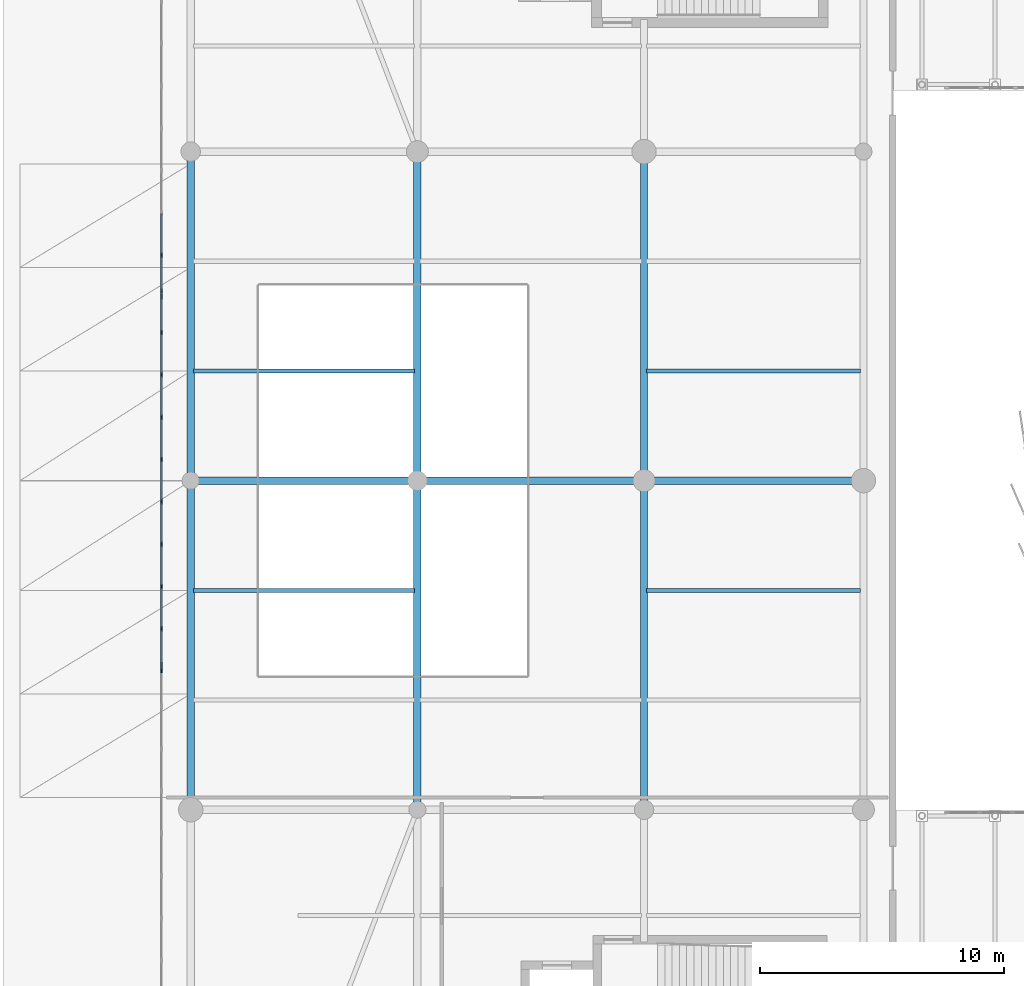
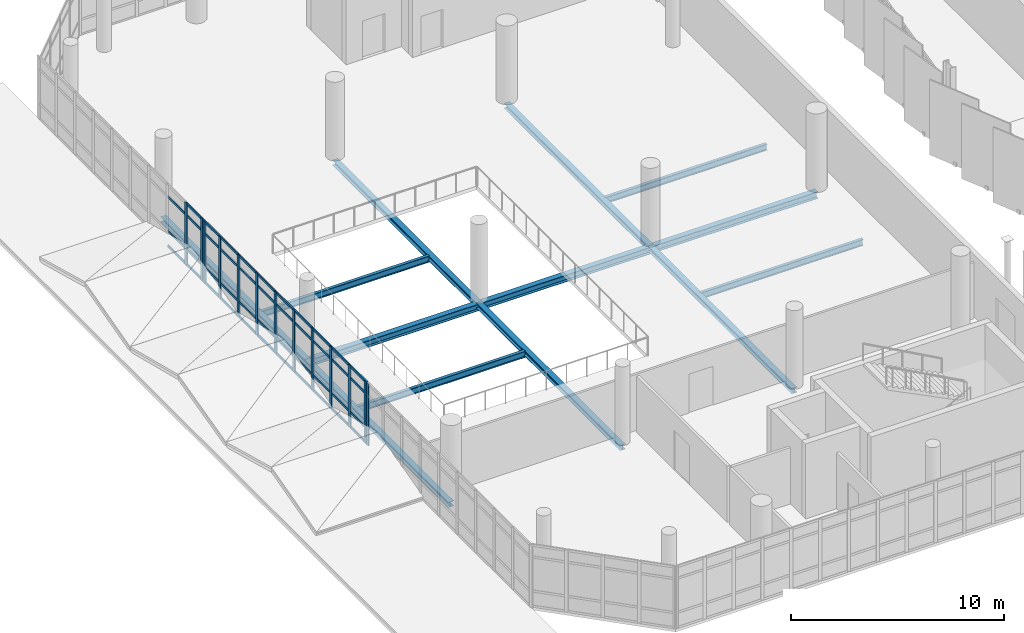
# One storey, part 44 of 134: 56 members, 13 beams, 3 elements without a shape of their own.
"""IFC4 building model written with IfcOpenShell, lengths in metres."""

from ifc_helpers import new_model, si_unit, direction, frame, origin, origin_2d, place, context, subcontext, project, spatial, rectangle, i_section, extrude, material, layer, layer_set, material_profile, profile_set, type_object, element, aggregate, save


model = new_model("IFC4")

# Units and contexts
model_context = context("Model", 3, precision=1e-05, world=origin(), true_north=direction((0.0, 1.0)))
body_context = subcontext(model_context, "Body", "Model", "MODEL_VIEW")
ifc_project = project(units=[si_unit("LENGTHUNIT", "METRE"), si_unit("AREAUNIT", "SQUARE_METRE"), si_unit("VOLUMEUNIT", "CUBIC_METRE"), si_unit("PLANEANGLEUNIT", "RADIAN"), si_unit("MASSUNIT", "GRAM", prefix="KILO")], contexts=[model_context])

# Site, building, storey
site_placement = place(None, origin())
site = spatial("IfcSite", under=ifc_project, at=site_placement, CompositionType="ELEMENT")
building_placement = place(site_placement, origin())
building = spatial("IfcBuilding", under=site, at=building_placement, Name="Sohan Crest Arena", CompositionType="ELEMENT")
storey_placement = place(building_placement, frame((0.0, 0.0, 4.5)))
storey = spatial("IfcBuildingStorey", under=building, at=storey_placement, Name="L01", CompositionType="ELEMENT", Elevation=4.5)

# Curtain wall, members
ifc_material_1 = material(Name="Thermally broken anodised aluminium", Category="aluminium")
ifc_layer = layer(ifc_material_1, 0.219970703125, Name="Thermally broken anodised aluminium")
ifc_layer_set = layer_set([ifc_layer], Name="Thermally broken anodised aluminium")
curtain_wall_type = type_object("IfcCurtainWallType", Name="ARC-CW03", PredefinedType="NOTDEFINED", material=ifc_layer_set)
curtain_wall_1_placement = place(storey_placement, origin())
curtain_wall_1 = element("IfcCurtainWall", 1, at=curtain_wall_1_placement, inside=storey, type_object=curtain_wall_type, Name="Unitised curtain wall CW-209", PredefinedType="NOTDEFINED")
ifc_material_profile_1 = material_profile(ifc_material_1, rectangle(XDim=0.070068359375, YDim=0.199951171875, at=origin_2d()), Name="ALU-MULL 70x200")
ifc_profile_set_1 = profile_set([ifc_material_profile_1], Name="Thermally broken anodised aluminium")
member_type_1 = type_object("IfcMemberType", Name="ARC-CW-ML03", PredefinedType="MULLION", material=ifc_profile_set_1)
member_1_placement = place(storey_placement, frame((14.0, 87.25390625, 0.0), z_axis=(0.0, 0.0, 1.0), x_axis=(1.0, 0.0, 0.0)))
member_1 = element("IfcMember", 2, at=member_1_placement, type_object=member_type_1, Name="CW-209 mullion 9", PredefinedType="MULLION", context=body_context, shape_type="SweptSolid", body=[
    extrude(rectangle(XDim=0.070068359375, YDim=0.199951171875, at=origin_2d()), origin(), (0.0, 0.0, 1.0), 3.550048828125),
])
member_2_placement = place(storey_placement, frame((14.0, 85.552001953125, 0.0), z_axis=(0.0, 0.0, 1.0), x_axis=(1.0, 0.0, 0.0)))
member_2 = element("IfcMember", 3, at=member_2_placement, type_object=member_type_1, Name="CW-209 mullion 10", PredefinedType="MULLION", context=body_context, shape_type="SweptSolid", body=[
    extrude(rectangle(XDim=0.070068359375, YDim=0.199951171875, at=origin_2d()), origin(), (0.0, 0.0, 1.0), 3.550048828125),
])

curtain_wall_2_placement = place(storey_placement, origin())
curtain_wall_2 = element("IfcCurtainWall", 4, at=curtain_wall_2_placement, inside=storey, type_object=curtain_wall_type, Name="Unitised curtain wall CW-210", PredefinedType="NOTDEFINED")
member_3_placement = place(storey_placement, frame((14.0, 85.781982421875, 0.0), z_axis=(0.0, 0.0, 1.0), x_axis=(1.0, 0.0, 0.0)))
member_3 = element("IfcMember", 5, at=member_3_placement, type_object=member_type_1, Name="CW-210 mullion 1", PredefinedType="MULLION", context=body_context, shape_type="SweptSolid", body=[
    extrude(rectangle(XDim=0.070068359375, YDim=0.199951171875, at=origin_2d()), origin(), (0.0, 0.0, 1.0), 3.550048828125),
])
member_4_placement = place(storey_placement, frame((14.0, 84.079833984375, 0.0), z_axis=(0.0, 0.0, 1.0), x_axis=(1.0, 0.0, 0.0)))
member_4 = element("IfcMember", 6, at=member_4_placement, type_object=member_type_1, Name="CW-210 mullion 2", PredefinedType="MULLION", context=body_context, shape_type="SweptSolid", body=[
    extrude(rectangle(XDim=0.070068359375, YDim=0.199951171875, at=origin_2d()), origin(), (0.0, 0.0, 1.0), 3.550048828125),
])
member_5_placement = place(storey_placement, frame((14.0, 82.3427734375, 0.0), z_axis=(0.0, 0.0, 1.0), x_axis=(1.0, 0.0, 0.0)))
member_5 = element("IfcMember", 7, at=member_5_placement, type_object=member_type_1, Name="CW-210 mullion 3", PredefinedType="MULLION", context=body_context, shape_type="SweptSolid", body=[
    extrude(rectangle(XDim=0.070068359375, YDim=0.199951171875, at=origin_2d()), origin(), (0.0, 0.0, 1.0), 3.550048828125),
])
member_6_placement = place(storey_placement, frame((14.0, 80.605712890625, 0.0), z_axis=(0.0, 0.0, 1.0), x_axis=(1.0, 0.0, 0.0)))
member_6 = element("IfcMember", 8, at=member_6_placement, type_object=member_type_1, Name="CW-210 mullion 4", PredefinedType="MULLION", context=body_context, shape_type="SweptSolid", body=[
    extrude(rectangle(XDim=0.070068359375, YDim=0.199951171875, at=origin_2d()), origin(), (0.0, 0.0, 1.0), 3.550048828125),
])
member_7_placement = place(storey_placement, frame((14.0, 78.86865234375, 0.0), z_axis=(0.0, 0.0, 1.0), x_axis=(1.0, 0.0, 0.0)))
member_7 = element("IfcMember", 9, at=member_7_placement, type_object=member_type_1, Name="CW-210 mullion 5", PredefinedType="MULLION", context=body_context, shape_type="SweptSolid", body=[
    extrude(rectangle(XDim=0.070068359375, YDim=0.199951171875, at=origin_2d()), origin(), (0.0, 0.0, 1.0), 3.550048828125),
])
member_8_placement = place(storey_placement, frame((14.0, 77.13134765625, 0.0), z_axis=(0.0, 0.0, 1.0), x_axis=(1.0, 0.0, 0.0)))
member_8 = element("IfcMember", 10, at=member_8_placement, type_object=member_type_1, Name="CW-210 mullion 6", PredefinedType="MULLION", context=body_context, shape_type="SweptSolid", body=[
    extrude(rectangle(XDim=0.070068359375, YDim=0.199951171875, at=origin_2d()), origin(), (0.0, 0.0, 1.0), 3.550048828125),
])
member_9_placement = place(storey_placement, frame((14.0, 75.394287109375, 0.0), z_axis=(0.0, 0.0, 1.0), x_axis=(1.0, 0.0, 0.0)))
member_9 = element("IfcMember", 11, at=member_9_placement, type_object=member_type_1, Name="CW-210 mullion 7", PredefinedType="MULLION", context=body_context, shape_type="SweptSolid", body=[
    extrude(rectangle(XDim=0.070068359375, YDim=0.199951171875, at=origin_2d()), origin(), (0.0, 0.0, 1.0), 3.550048828125),
])
member_10_placement = place(storey_placement, frame((14.0, 73.6572265625, 0.0), z_axis=(0.0, 0.0, 1.0), x_axis=(1.0, 0.0, 0.0)))
member_10 = element("IfcMember", 12, at=member_10_placement, type_object=member_type_1, Name="CW-210 mullion 8", PredefinedType="MULLION", context=body_context, shape_type="SweptSolid", body=[
    extrude(rectangle(XDim=0.070068359375, YDim=0.199951171875, at=origin_2d()), origin(), (0.0, 0.0, 1.0), 3.550048828125),
])
member_11_placement = place(storey_placement, frame((14.0, 71.920166015625, 0.0), z_axis=(0.0, 0.0, 1.0), x_axis=(1.0, 0.0, 0.0)))
member_11 = element("IfcMember", 13, at=member_11_placement, type_object=member_type_1, Name="CW-210 mullion 9", PredefinedType="MULLION", context=body_context, shape_type="SweptSolid", body=[
    extrude(rectangle(XDim=0.070068359375, YDim=0.199951171875, at=origin_2d()), origin(), (0.0, 0.0, 1.0), 3.550048828125),
])
member_12_placement = place(storey_placement, frame((14.0, 70.218017578125, 0.0), z_axis=(0.0, 0.0, 1.0), x_axis=(1.0, 0.0, 0.0)))
member_12 = element("IfcMember", 14, at=member_12_placement, type_object=member_type_1, Name="CW-210 mullion 10", PredefinedType="MULLION", context=body_context, shape_type="SweptSolid", body=[
    extrude(rectangle(XDim=0.070068359375, YDim=0.199951171875, at=origin_2d()), origin(), (0.0, 0.0, 1.0), 3.550048828125),
])

# Curtain wall, member
curtain_wall_3_placement = place(storey_placement, origin())
curtain_wall_3 = element("IfcCurtainWall", 15, at=curtain_wall_3_placement, inside=storey, type_object=curtain_wall_type, Name="Unitised curtain wall CW-211", PredefinedType="NOTDEFINED")
member_13_placement = place(storey_placement, frame((14.0, 70.447998046875, 0.0), z_axis=(0.0, 0.0, 1.0), x_axis=(1.0, 0.0, 0.0)))
member_13 = element("IfcMember", 16, at=member_13_placement, type_object=member_type_1, Name="CW-211 mullion 1", PredefinedType="MULLION", context=body_context, shape_type="SweptSolid", body=[
    extrude(rectangle(XDim=0.070068359375, YDim=0.199951171875, at=origin_2d()), origin(), (0.0, 0.0, 1.0), 3.550048828125),
])
aggregate(curtain_wall_3, [member_13])

# Member
ifc_material_profile_2 = material_profile(ifc_material_1, rectangle(XDim=0.06494140625, YDim=0.139892578125, at=origin_2d()), Name="ALU-TRAN 65x140")
ifc_profile_set_2 = profile_set([ifc_material_profile_2], Name="Thermally broken anodised aluminium")
member_type_2 = type_object("IfcMemberType", Name="ARC-CW-TR02", PredefinedType="USERDEFINED", material=ifc_profile_set_2)
member_14_placement = place(storey_placement, frame((14.0, 88.9560546875, 0.032470703125), z_axis=(0.0, -1.0, 0.0), x_axis=(1.0, 0.0, 0.0)))
member_14 = element("IfcMember", 17, at=member_14_placement, type_object=member_type_2, Name="CW-209 transom 8.1", ObjectType="TRANSOM", PredefinedType="USERDEFINED", context=body_context, shape_type="SweptSolid", body=[
    extrude(rectangle(XDim=0.06494140625, YDim=0.139892578125, at=origin_2d()), origin(), (0.0, 0.0, 1.0), 1.6669921875),
])

member_15_placement = place(storey_placement, frame((14.0, 88.9560546875, 0.89990234375), z_axis=(0.0, -1.0, 0.0), x_axis=(1.0, 0.0, 0.0)))
member_15 = element("IfcMember", 18, at=member_15_placement, type_object=member_type_2, Name="CW-209 transom 8.2", ObjectType="TRANSOM", PredefinedType="USERDEFINED", context=body_context, shape_type="SweptSolid", body=[
    extrude(rectangle(XDim=0.06494140625, YDim=0.139892578125, at=origin_2d()), origin(), (0.0, 0.0, 1.0), 1.6669921875),
])

member_16_placement = place(storey_placement, frame((14.0, 88.9560546875, 2.85009765625), z_axis=(0.0, -1.0, 0.0), x_axis=(1.0, 0.0, 0.0)))
member_16 = element("IfcMember", 19, at=member_16_placement, type_object=member_type_2, Name="CW-209 transom 8.3", ObjectType="TRANSOM", PredefinedType="USERDEFINED", context=body_context, shape_type="SweptSolid", body=[
    extrude(rectangle(XDim=0.06494140625, YDim=0.139892578125, at=origin_2d()), origin(), (0.0, 0.0, 1.0), 1.6669921875),
])

member_17_placement = place(storey_placement, frame((14.0, 87.218994140625, 0.032470703125), z_axis=(0.0, -1.0, 0.0), x_axis=(1.0, 0.0, 0.0)))
member_17 = element("IfcMember", 20, at=member_17_placement, type_object=member_type_2, Name="CW-209 transom 9.1", ObjectType="TRANSOM", PredefinedType="USERDEFINED", context=body_context, shape_type="SweptSolid", body=[
    extrude(rectangle(XDim=0.06494140625, YDim=0.139892578125, at=origin_2d()), origin(), (0.0, 0.0, 1.0), 1.632080078125),
])

member_18_placement = place(storey_placement, frame((14.0, 87.218994140625, 0.89990234375), z_axis=(0.0, -1.0, 0.0), x_axis=(1.0, 0.0, 0.0)))
member_18 = element("IfcMember", 21, at=member_18_placement, type_object=member_type_2, Name="CW-209 transom 9.2", ObjectType="TRANSOM", PredefinedType="USERDEFINED", context=body_context, shape_type="SweptSolid", body=[
    extrude(rectangle(XDim=0.06494140625, YDim=0.139892578125, at=origin_2d()), origin(), (0.0, 0.0, 1.0), 1.632080078125),
])

member_19_placement = place(storey_placement, frame((14.0, 87.218994140625, 2.85009765625), z_axis=(0.0, -1.0, 0.0), x_axis=(1.0, 0.0, 0.0)))
member_19 = element("IfcMember", 22, at=member_19_placement, type_object=member_type_2, Name="CW-209 transom 9.3", ObjectType="TRANSOM", PredefinedType="USERDEFINED", context=body_context, shape_type="SweptSolid", body=[
    extrude(rectangle(XDim=0.06494140625, YDim=0.139892578125, at=origin_2d()), origin(), (0.0, 0.0, 1.0), 1.632080078125),
])

member_20_placement = place(storey_placement, frame((14.0, 87.218994140625, 3.517578125), z_axis=(0.0, -1.0, 0.0), x_axis=(1.0, 0.0, 0.0)))
member_20 = element("IfcMember", 23, at=member_20_placement, type_object=member_type_2, Name="CW-209 transom 9.4", ObjectType="TRANSOM", PredefinedType="USERDEFINED", context=body_context, shape_type="SweptSolid", body=[
    extrude(rectangle(XDim=0.06494140625, YDim=0.139892578125, at=origin_2d()), origin(), (0.0, 0.0, 1.0), 1.632080078125),
])

aggregate(curtain_wall_1, [member_1, member_2, member_14, member_15, member_16, member_17, member_18, member_19, member_20])

member_21_placement = place(storey_placement, frame((14.0, 85.7470703125, 0.032470703125), z_axis=(0.0, -1.0, 0.0), x_axis=(1.0, 0.0, 0.0)))
member_21 = element("IfcMember", 24, at=member_21_placement, type_object=member_type_2, Name="CW-210 transom 1.1", ObjectType="TRANSOM", PredefinedType="USERDEFINED", context=body_context, shape_type="SweptSolid", body=[
    extrude(rectangle(XDim=0.06494140625, YDim=0.139892578125, at=origin_2d()), origin(), (0.0, 0.0, 1.0), 1.632080078125),
])

member_22_placement = place(storey_placement, frame((14.0, 85.7470703125, 0.89990234375), z_axis=(0.0, -1.0, 0.0), x_axis=(1.0, 0.0, 0.0)))
member_22 = element("IfcMember", 25, at=member_22_placement, type_object=member_type_2, Name="CW-210 transom 1.2", ObjectType="TRANSOM", PredefinedType="USERDEFINED", context=body_context, shape_type="SweptSolid", body=[
    extrude(rectangle(XDim=0.06494140625, YDim=0.139892578125, at=origin_2d()), origin(), (0.0, 0.0, 1.0), 1.632080078125),
])

member_23_placement = place(storey_placement, frame((14.0, 85.7470703125, 2.85009765625), z_axis=(0.0, -1.0, 0.0), x_axis=(1.0, 0.0, 0.0)))
member_23 = element("IfcMember", 26, at=member_23_placement, type_object=member_type_2, Name="CW-210 transom 1.3", ObjectType="TRANSOM", PredefinedType="USERDEFINED", context=body_context, shape_type="SweptSolid", body=[
    extrude(rectangle(XDim=0.06494140625, YDim=0.139892578125, at=origin_2d()), origin(), (0.0, 0.0, 1.0), 1.632080078125),
])

member_24_placement = place(storey_placement, frame((14.0, 85.7470703125, 3.517578125), z_axis=(0.0, -1.0, 0.0), x_axis=(1.0, 0.0, 0.0)))
member_24 = element("IfcMember", 27, at=member_24_placement, type_object=member_type_2, Name="CW-210 transom 1.4", ObjectType="TRANSOM", PredefinedType="USERDEFINED", context=body_context, shape_type="SweptSolid", body=[
    extrude(rectangle(XDim=0.06494140625, YDim=0.139892578125, at=origin_2d()), origin(), (0.0, 0.0, 1.0), 1.632080078125),
])

member_25_placement = place(storey_placement, frame((14.0, 84.044921875, 0.032470703125), z_axis=(0.0, -1.0, 0.0), x_axis=(1.0, 0.0, 0.0)))
member_25 = element("IfcMember", 28, at=member_25_placement, type_object=member_type_2, Name="CW-210 transom 2.1", ObjectType="TRANSOM", PredefinedType="USERDEFINED", context=body_context, shape_type="SweptSolid", body=[
    extrude(rectangle(XDim=0.06494140625, YDim=0.139892578125, at=origin_2d()), origin(), (0.0, 0.0, 1.0), 1.667236328125),
])

member_26_placement = place(storey_placement, frame((14.0, 84.044921875, 0.89990234375), z_axis=(0.0, -1.0, 0.0), x_axis=(1.0, 0.0, 0.0)))
member_26 = element("IfcMember", 29, at=member_26_placement, type_object=member_type_2, Name="CW-210 transom 2.2", ObjectType="TRANSOM", PredefinedType="USERDEFINED", context=body_context, shape_type="SweptSolid", body=[
    extrude(rectangle(XDim=0.06494140625, YDim=0.139892578125, at=origin_2d()), origin(), (0.0, 0.0, 1.0), 1.667236328125),
])

member_27_placement = place(storey_placement, frame((14.0, 84.044921875, 2.85009765625), z_axis=(0.0, -1.0, 0.0), x_axis=(1.0, 0.0, 0.0)))
member_27 = element("IfcMember", 30, at=member_27_placement, type_object=member_type_2, Name="CW-210 transom 2.3", ObjectType="TRANSOM", PredefinedType="USERDEFINED", context=body_context, shape_type="SweptSolid", body=[
    extrude(rectangle(XDim=0.06494140625, YDim=0.139892578125, at=origin_2d()), origin(), (0.0, 0.0, 1.0), 1.667236328125),
])

member_28_placement = place(storey_placement, frame((14.0, 84.044921875, 3.517578125), z_axis=(0.0, -1.0, 0.0), x_axis=(1.0, 0.0, 0.0)))
member_28 = element("IfcMember", 31, at=member_28_placement, type_object=member_type_2, Name="CW-210 transom 2.4", ObjectType="TRANSOM", PredefinedType="USERDEFINED", context=body_context, shape_type="SweptSolid", body=[
    extrude(rectangle(XDim=0.06494140625, YDim=0.139892578125, at=origin_2d()), origin(), (0.0, 0.0, 1.0), 1.667236328125),
])

member_29_placement = place(storey_placement, frame((14.0, 82.307861328125, 0.032470703125), z_axis=(0.0, -1.0, 0.0), x_axis=(1.0, 0.0, 0.0)))
member_29 = element("IfcMember", 32, at=member_29_placement, type_object=member_type_2, Name="CW-210 transom 3.1", ObjectType="TRANSOM", PredefinedType="USERDEFINED", context=body_context, shape_type="SweptSolid", body=[
    extrude(rectangle(XDim=0.06494140625, YDim=0.139892578125, at=origin_2d()), origin(), (0.0, 0.0, 1.0), 1.667236328125),
])

member_30_placement = place(storey_placement, frame((14.0, 82.307861328125, 0.89990234375), z_axis=(0.0, -1.0, 0.0), x_axis=(1.0, 0.0, 0.0)))
member_30 = element("IfcMember", 33, at=member_30_placement, type_object=member_type_2, Name="CW-210 transom 3.2", ObjectType="TRANSOM", PredefinedType="USERDEFINED", context=body_context, shape_type="SweptSolid", body=[
    extrude(rectangle(XDim=0.06494140625, YDim=0.139892578125, at=origin_2d()), origin(), (0.0, 0.0, 1.0), 1.667236328125),
])

member_31_placement = place(storey_placement, frame((14.0, 82.307861328125, 2.85009765625), z_axis=(0.0, -1.0, 0.0), x_axis=(1.0, 0.0, 0.0)))
member_31 = element("IfcMember", 34, at=member_31_placement, type_object=member_type_2, Name="CW-210 transom 3.3", ObjectType="TRANSOM", PredefinedType="USERDEFINED", context=body_context, shape_type="SweptSolid", body=[
    extrude(rectangle(XDim=0.06494140625, YDim=0.139892578125, at=origin_2d()), origin(), (0.0, 0.0, 1.0), 1.667236328125),
])

member_32_placement = place(storey_placement, frame((14.0, 82.307861328125, 3.517578125), z_axis=(0.0, -1.0, 0.0), x_axis=(1.0, 0.0, 0.0)))
member_32 = element("IfcMember", 35, at=member_32_placement, type_object=member_type_2, Name="CW-210 transom 3.4", ObjectType="TRANSOM", PredefinedType="USERDEFINED", context=body_context, shape_type="SweptSolid", body=[
    extrude(rectangle(XDim=0.06494140625, YDim=0.139892578125, at=origin_2d()), origin(), (0.0, 0.0, 1.0), 1.667236328125),
])

member_33_placement = place(storey_placement, frame((14.0, 80.570556640625, 0.032470703125), z_axis=(0.0, -1.0, 0.0), x_axis=(1.0, 0.0, 0.0)))
member_33 = element("IfcMember", 36, at=member_33_placement, type_object=member_type_2, Name="CW-210 transom 4.1", ObjectType="TRANSOM", PredefinedType="USERDEFINED", context=body_context, shape_type="SweptSolid", body=[
    extrude(rectangle(XDim=0.06494140625, YDim=0.139892578125, at=origin_2d()), origin(), (0.0, 0.0, 1.0), 1.6669921875),
])

member_34_placement = place(storey_placement, frame((14.0, 80.570556640625, 0.89990234375), z_axis=(0.0, -1.0, 0.0), x_axis=(1.0, 0.0, 0.0)))
member_34 = element("IfcMember", 37, at=member_34_placement, type_object=member_type_2, Name="CW-210 transom 4.2", ObjectType="TRANSOM", PredefinedType="USERDEFINED", context=body_context, shape_type="SweptSolid", body=[
    extrude(rectangle(XDim=0.06494140625, YDim=0.139892578125, at=origin_2d()), origin(), (0.0, 0.0, 1.0), 1.6669921875),
])

member_35_placement = place(storey_placement, frame((14.0, 80.570556640625, 2.85009765625), z_axis=(0.0, -1.0, 0.0), x_axis=(1.0, 0.0, 0.0)))
member_35 = element("IfcMember", 38, at=member_35_placement, type_object=member_type_2, Name="CW-210 transom 4.3", ObjectType="TRANSOM", PredefinedType="USERDEFINED", context=body_context, shape_type="SweptSolid", body=[
    extrude(rectangle(XDim=0.06494140625, YDim=0.139892578125, at=origin_2d()), origin(), (0.0, 0.0, 1.0), 1.6669921875),
])

member_36_placement = place(storey_placement, frame((14.0, 80.570556640625, 3.517578125), z_axis=(0.0, -1.0, 0.0), x_axis=(1.0, 0.0, 0.0)))
member_36 = element("IfcMember", 39, at=member_36_placement, type_object=member_type_2, Name="CW-210 transom 4.4", ObjectType="TRANSOM", PredefinedType="USERDEFINED", context=body_context, shape_type="SweptSolid", body=[
    extrude(rectangle(XDim=0.06494140625, YDim=0.139892578125, at=origin_2d()), origin(), (0.0, 0.0, 1.0), 1.6669921875),
])

member_37_placement = place(storey_placement, frame((14.0, 78.83349609375, 0.032470703125), z_axis=(0.0, -1.0, 0.0), x_axis=(1.0, 0.0, 0.0)))
member_37 = element("IfcMember", 40, at=member_37_placement, type_object=member_type_2, Name="CW-210 transom 5.1", ObjectType="TRANSOM", PredefinedType="USERDEFINED", context=body_context, shape_type="SweptSolid", body=[
    extrude(rectangle(XDim=0.06494140625, YDim=0.139892578125, at=origin_2d()), origin(), (0.0, 0.0, 1.0), 1.6669921875),
])

member_38_placement = place(storey_placement, frame((14.0, 78.83349609375, 0.89990234375), z_axis=(0.0, -1.0, 0.0), x_axis=(1.0, 0.0, 0.0)))
member_38 = element("IfcMember", 41, at=member_38_placement, type_object=member_type_2, Name="CW-210 transom 5.2", ObjectType="TRANSOM", PredefinedType="USERDEFINED", context=body_context, shape_type="SweptSolid", body=[
    extrude(rectangle(XDim=0.06494140625, YDim=0.139892578125, at=origin_2d()), origin(), (0.0, 0.0, 1.0), 1.6669921875),
])

member_39_placement = place(storey_placement, frame((14.0, 78.83349609375, 2.85009765625), z_axis=(0.0, -1.0, 0.0), x_axis=(1.0, 0.0, 0.0)))
member_39 = element("IfcMember", 42, at=member_39_placement, type_object=member_type_2, Name="CW-210 transom 5.3", ObjectType="TRANSOM", PredefinedType="USERDEFINED", context=body_context, shape_type="SweptSolid", body=[
    extrude(rectangle(XDim=0.06494140625, YDim=0.139892578125, at=origin_2d()), origin(), (0.0, 0.0, 1.0), 1.6669921875),
])

member_40_placement = place(storey_placement, frame((14.0, 78.83349609375, 3.517578125), z_axis=(0.0, -1.0, 0.0), x_axis=(1.0, 0.0, 0.0)))
member_40 = element("IfcMember", 43, at=member_40_placement, type_object=member_type_2, Name="CW-210 transom 5.4", ObjectType="TRANSOM", PredefinedType="USERDEFINED", context=body_context, shape_type="SweptSolid", body=[
    extrude(rectangle(XDim=0.06494140625, YDim=0.139892578125, at=origin_2d()), origin(), (0.0, 0.0, 1.0), 1.6669921875),
])

member_41_placement = place(storey_placement, frame((14.0, 77.096435546875, 0.032470703125), z_axis=(0.0, -1.0, 0.0), x_axis=(1.0, 0.0, 0.0)))
member_41 = element("IfcMember", 44, at=member_41_placement, type_object=member_type_2, Name="CW-210 transom 6.1", ObjectType="TRANSOM", PredefinedType="USERDEFINED", context=body_context, shape_type="SweptSolid", body=[
    extrude(rectangle(XDim=0.06494140625, YDim=0.139892578125, at=origin_2d()), origin(), (0.0, 0.0, 1.0), 1.6669921875),
])

member_42_placement = place(storey_placement, frame((14.0, 77.096435546875, 0.89990234375), z_axis=(0.0, -1.0, 0.0), x_axis=(1.0, 0.0, 0.0)))
member_42 = element("IfcMember", 45, at=member_42_placement, type_object=member_type_2, Name="CW-210 transom 6.2", ObjectType="TRANSOM", PredefinedType="USERDEFINED", context=body_context, shape_type="SweptSolid", body=[
    extrude(rectangle(XDim=0.06494140625, YDim=0.139892578125, at=origin_2d()), origin(), (0.0, 0.0, 1.0), 1.6669921875),
])

member_43_placement = place(storey_placement, frame((14.0, 77.096435546875, 2.85009765625), z_axis=(0.0, -1.0, 0.0), x_axis=(1.0, 0.0, 0.0)))
member_43 = element("IfcMember", 46, at=member_43_placement, type_object=member_type_2, Name="CW-210 transom 6.3", ObjectType="TRANSOM", PredefinedType="USERDEFINED", context=body_context, shape_type="SweptSolid", body=[
    extrude(rectangle(XDim=0.06494140625, YDim=0.139892578125, at=origin_2d()), origin(), (0.0, 0.0, 1.0), 1.6669921875),
])

member_44_placement = place(storey_placement, frame((14.0, 77.096435546875, 3.517578125), z_axis=(0.0, -1.0, 0.0), x_axis=(1.0, 0.0, 0.0)))
member_44 = element("IfcMember", 47, at=member_44_placement, type_object=member_type_2, Name="CW-210 transom 6.4", ObjectType="TRANSOM", PredefinedType="USERDEFINED", context=body_context, shape_type="SweptSolid", body=[
    extrude(rectangle(XDim=0.06494140625, YDim=0.139892578125, at=origin_2d()), origin(), (0.0, 0.0, 1.0), 1.6669921875),
])

member_45_placement = place(storey_placement, frame((14.0, 75.359375, 0.032470703125), z_axis=(0.0, -1.0, 0.0), x_axis=(1.0, 0.0, 0.0)))
member_45 = element("IfcMember", 48, at=member_45_placement, type_object=member_type_2, Name="CW-210 transom 7.1", ObjectType="TRANSOM", PredefinedType="USERDEFINED", context=body_context, shape_type="SweptSolid", body=[
    extrude(rectangle(XDim=0.06494140625, YDim=0.139892578125, at=origin_2d()), origin(), (0.0, 0.0, 1.0), 1.667236328125),
])

member_46_placement = place(storey_placement, frame((14.0, 75.359375, 0.89990234375), z_axis=(0.0, -1.0, 0.0), x_axis=(1.0, 0.0, 0.0)))
member_46 = element("IfcMember", 49, at=member_46_placement, type_object=member_type_2, Name="CW-210 transom 7.2", ObjectType="TRANSOM", PredefinedType="USERDEFINED", context=body_context, shape_type="SweptSolid", body=[
    extrude(rectangle(XDim=0.06494140625, YDim=0.139892578125, at=origin_2d()), origin(), (0.0, 0.0, 1.0), 1.667236328125),
])

member_47_placement = place(storey_placement, frame((14.0, 75.359375, 2.85009765625), z_axis=(0.0, -1.0, 0.0), x_axis=(1.0, 0.0, 0.0)))
member_47 = element("IfcMember", 50, at=member_47_placement, type_object=member_type_2, Name="CW-210 transom 7.3", ObjectType="TRANSOM", PredefinedType="USERDEFINED", context=body_context, shape_type="SweptSolid", body=[
    extrude(rectangle(XDim=0.06494140625, YDim=0.139892578125, at=origin_2d()), origin(), (0.0, 0.0, 1.0), 1.667236328125),
])

member_48_placement = place(storey_placement, frame((14.0, 75.359375, 3.517578125), z_axis=(0.0, -1.0, 0.0), x_axis=(1.0, 0.0, 0.0)))
member_48 = element("IfcMember", 51, at=member_48_placement, type_object=member_type_2, Name="CW-210 transom 7.4", ObjectType="TRANSOM", PredefinedType="USERDEFINED", context=body_context, shape_type="SweptSolid", body=[
    extrude(rectangle(XDim=0.06494140625, YDim=0.139892578125, at=origin_2d()), origin(), (0.0, 0.0, 1.0), 1.667236328125),
])

member_49_placement = place(storey_placement, frame((14.0, 73.622314453125, 0.032470703125), z_axis=(0.0, -1.0, 0.0), x_axis=(1.0, 0.0, 0.0)))
member_49 = element("IfcMember", 52, at=member_49_placement, type_object=member_type_2, Name="CW-210 transom 8.1", ObjectType="TRANSOM", PredefinedType="USERDEFINED", context=body_context, shape_type="SweptSolid", body=[
    extrude(rectangle(XDim=0.06494140625, YDim=0.139892578125, at=origin_2d()), origin(), (0.0, 0.0, 1.0), 1.667236328125),
])

member_50_placement = place(storey_placement, frame((14.0, 73.622314453125, 0.89990234375), z_axis=(0.0, -1.0, 0.0), x_axis=(1.0, 0.0, 0.0)))
member_50 = element("IfcMember", 53, at=member_50_placement, type_object=member_type_2, Name="CW-210 transom 8.2", ObjectType="TRANSOM", PredefinedType="USERDEFINED", context=body_context, shape_type="SweptSolid", body=[
    extrude(rectangle(XDim=0.06494140625, YDim=0.139892578125, at=origin_2d()), origin(), (0.0, 0.0, 1.0), 1.667236328125),
])

member_51_placement = place(storey_placement, frame((14.0, 73.622314453125, 2.85009765625), z_axis=(0.0, -1.0, 0.0), x_axis=(1.0, 0.0, 0.0)))
member_51 = element("IfcMember", 54, at=member_51_placement, type_object=member_type_2, Name="CW-210 transom 8.3", ObjectType="TRANSOM", PredefinedType="USERDEFINED", context=body_context, shape_type="SweptSolid", body=[
    extrude(rectangle(XDim=0.06494140625, YDim=0.139892578125, at=origin_2d()), origin(), (0.0, 0.0, 1.0), 1.667236328125),
])

member_52_placement = place(storey_placement, frame((14.0, 73.622314453125, 3.517578125), z_axis=(0.0, -1.0, 0.0), x_axis=(1.0, 0.0, 0.0)))
member_52 = element("IfcMember", 55, at=member_52_placement, type_object=member_type_2, Name="CW-210 transom 8.4", ObjectType="TRANSOM", PredefinedType="USERDEFINED", context=body_context, shape_type="SweptSolid", body=[
    extrude(rectangle(XDim=0.06494140625, YDim=0.139892578125, at=origin_2d()), origin(), (0.0, 0.0, 1.0), 1.667236328125),
])

member_53_placement = place(storey_placement, frame((14.0, 71.885009765625, 0.032470703125), z_axis=(0.0, -1.0, 0.0), x_axis=(1.0, 0.0, 0.0)))
member_53 = element("IfcMember", 56, at=member_53_placement, type_object=member_type_2, Name="CW-210 transom 9.1", ObjectType="TRANSOM", PredefinedType="USERDEFINED", context=body_context, shape_type="SweptSolid", body=[
    extrude(rectangle(XDim=0.06494140625, YDim=0.139892578125, at=origin_2d()), origin(), (0.0, 0.0, 1.0), 1.632080078125),
])

member_54_placement = place(storey_placement, frame((14.0, 71.885009765625, 0.89990234375), z_axis=(0.0, -1.0, 0.0), x_axis=(1.0, 0.0, 0.0)))
member_54 = element("IfcMember", 57, at=member_54_placement, type_object=member_type_2, Name="CW-210 transom 9.2", ObjectType="TRANSOM", PredefinedType="USERDEFINED", context=body_context, shape_type="SweptSolid", body=[
    extrude(rectangle(XDim=0.06494140625, YDim=0.139892578125, at=origin_2d()), origin(), (0.0, 0.0, 1.0), 1.632080078125),
])

member_55_placement = place(storey_placement, frame((14.0, 71.885009765625, 2.85009765625), z_axis=(0.0, -1.0, 0.0), x_axis=(1.0, 0.0, 0.0)))
member_55 = element("IfcMember", 58, at=member_55_placement, type_object=member_type_2, Name="CW-210 transom 9.3", ObjectType="TRANSOM", PredefinedType="USERDEFINED", context=body_context, shape_type="SweptSolid", body=[
    extrude(rectangle(XDim=0.06494140625, YDim=0.139892578125, at=origin_2d()), origin(), (0.0, 0.0, 1.0), 1.632080078125),
])

member_56_placement = place(storey_placement, frame((14.0, 71.885009765625, 3.517578125), z_axis=(0.0, -1.0, 0.0), x_axis=(1.0, 0.0, 0.0)))
member_56 = element("IfcMember", 59, at=member_56_placement, type_object=member_type_2, Name="CW-210 transom 9.4", ObjectType="TRANSOM", PredefinedType="USERDEFINED", context=body_context, shape_type="SweptSolid", body=[
    extrude(rectangle(XDim=0.06494140625, YDim=0.139892578125, at=origin_2d()), origin(), (0.0, 0.0, 1.0), 1.632080078125),
])

aggregate(curtain_wall_2, [member_3, member_4, member_5, member_6, member_7, member_8, member_9, member_10, member_11, member_12, member_21, member_22, member_23, member_24, member_25, member_26, member_27, member_28, member_29, member_30, member_31, member_32, member_33, member_34, member_35, member_36, member_37, member_38, member_39, member_40, member_41, member_42, member_43, member_44, member_45, member_46, member_47, member_48, member_49, member_50, member_51, member_52, member_53, member_54, member_55, member_56])

# Beams
ifc_material_2 = material(Name="Steel S355", Category="steel")
ifc_material_profile_3 = material_profile(ifc_material_2, i_section(OverallWidth=0.169921875, OverallDepth=0.360107421875, WebThickness=0.008056640625, FlangeThickness=0.0126953125, at=origin_2d()), Name="IPE 360")
ifc_profile_set_3 = profile_set([ifc_material_profile_3], Name="Steel S355")
beam_type_1 = type_object("IfcBeamType", Name="STR-BM-B02", PredefinedType="JOIST", material=ifc_profile_set_3)
beam_1_placement = place(storey_placement, frame((15.31005859375, 73.5, -0.389892578125), z_axis=(1.0, 0.0, 0.0), x_axis=(0.0, 1.0, 0.0)))
element("IfcBeam", 60, at=beam_1_placement, inside=storey, type_object=beam_type_1, Name="Structural beam J-L01-2006", PredefinedType="JOIST", context=body_context, shape_type="SweptSolid", body=[
    extrude(i_section(OverallWidth=0.169921875, OverallDepth=0.360107421875, WebThickness=0.008056640625, FlangeThickness=0.0126953125, at=origin_2d()), origin(), (0.0, 0.0, 1.0), 9.079833984375),
])
beam_2_placement = place(storey_placement, frame((33.909912109375, 73.5, -0.389892578125), z_axis=(1.0, 0.0, 0.0), x_axis=(0.0, 1.0, 0.0)))
element("IfcBeam", 61, at=beam_2_placement, inside=storey, type_object=beam_type_1, Name="Structural beam J-L01-2011", PredefinedType="JOIST", context=body_context, shape_type="SweptSolid", body=[
    extrude(i_section(OverallWidth=0.169921875, OverallDepth=0.360107421875, WebThickness=0.008056640625, FlangeThickness=0.0126953125, at=origin_2d()), origin(), (0.0, 0.0, 1.0), 8.780029296875),
])
beam_3_placement = place(storey_placement, frame((15.31005859375, 82.5, -0.389892578125), z_axis=(1.0, 0.0, 0.0), x_axis=(0.0, 1.0, 0.0)))
element("IfcBeam", 62, at=beam_3_placement, inside=storey, type_object=beam_type_1, Name="Structural beam J-L01-2013", PredefinedType="JOIST", context=body_context, shape_type="SweptSolid", body=[
    extrude(i_section(OverallWidth=0.169921875, OverallDepth=0.360107421875, WebThickness=0.008056640625, FlangeThickness=0.0126953125, at=origin_2d()), origin(), (0.0, 0.0, 1.0), 9.079833984375),
])
beam_4_placement = place(storey_placement, frame((33.909912109375, 82.5, -0.389892578125), z_axis=(1.0, 0.0, 0.0), x_axis=(0.0, 1.0, 0.0)))
element("IfcBeam", 63, at=beam_4_placement, inside=storey, type_object=beam_type_1, Name="Structural beam J-L01-2018", PredefinedType="JOIST", context=body_context, shape_type="SweptSolid", body=[
    extrude(i_section(OverallWidth=0.169921875, OverallDepth=0.360107421875, WebThickness=0.008056640625, FlangeThickness=0.0126953125, at=origin_2d()), origin(), (0.0, 0.0, 1.0), 8.780029296875),
])
ifc_material_profile_4 = material_profile(ifc_material_2, i_section(OverallWidth=0.300048828125, OverallDepth=0.2900390625, WebThickness=0.008544921875, FlangeThickness=0.013916015625, at=origin_2d()), Name="HEA 300")
ifc_profile_set_4 = profile_set([ifc_material_profile_4], Name="Steel S355")
beam_type_2 = type_object("IfcBeamType", Name="STR-BM-B08", PredefinedType="BEAM", material=ifc_profile_set_4)
for number, where, z_axis, x_axis, name in (
    (64, (15.199951171875, 64.5, -0.35498046875), (0.0, 1.0, 0.0), (-1.0, 0.0, 0.0), "Structural beam G-L01-1980"),
    (65, (15.199951171875, 78.0, -0.35498046875), (0.0, 1.0, 0.0), (-1.0, 0.0, 0.0), "Structural beam G-L01-1981"),
    (66, (24.5, 64.5, -0.35498046875), (0.0, 1.0, 0.0), (-1.0, 0.0, 0.0), "Structural beam G-L01-1984"),
    (67, (24.5, 78.0, -0.35498046875), (0.0, 1.0, 0.0), (-1.0, 0.0, 0.0), "Structural beam G-L01-1985"),
    (68, (33.800048828125, 64.5, -0.35498046875), (0.0, 1.0, 0.0), (-1.0, 0.0, 0.0), "Structural beam G-L01-1989"),
    (69, (33.800048828125, 78.0, -0.35498046875), (0.0, 1.0, 0.0), (-1.0, 0.0, 0.0), "Structural beam G-L01-1990"),
):
    element("IfcBeam", number, at=place(storey_placement, frame(where, z_axis=z_axis, x_axis=x_axis)), inside=storey, type_object=beam_type_2, Name=name, PredefinedType="BEAM", context=body_context, shape_type="SweptSolid", body=[
        extrude(i_section(OverallWidth=0.300048828125, OverallDepth=0.2900390625, WebThickness=0.008544921875, FlangeThickness=0.013916015625, at=origin_2d()), origin(), (0.0, 0.0, 1.0), 13.5),
    ])
ifc_material_profile_5 = material_profile(ifc_material_2, i_section(OverallWidth=0.300048828125, OverallDepth=0.389892578125, WebThickness=0.010986328125, FlangeThickness=0.01904296875, at=origin_2d()), Name="HEA 400")
ifc_profile_set_5 = profile_set([ifc_material_profile_5], Name="Steel S355")
beam_type_3 = type_object("IfcBeamType", Name="STR-BM-B09", PredefinedType="BEAM", material=ifc_profile_set_5)
for number, where, z_axis, x_axis, name in (
    (70, (15.199951171875, 78.0, -0.405029296875), (1.0, 0.0, 0.0), (0.0, 1.0, 0.0), "Structural beam G-L01-2012"),
    (71, (24.5, 78.0, -0.405029296875), (1.0, 0.0, 0.0), (0.0, 1.0, 0.0), "Structural beam G-L01-2015"),
):
    element("IfcBeam", number, at=place(storey_placement, frame(where, z_axis=z_axis, x_axis=x_axis)), inside=storey, type_object=beam_type_3, Name=name, PredefinedType="BEAM", context=body_context, shape_type="SweptSolid", body=[
        extrude(i_section(OverallWidth=0.300048828125, OverallDepth=0.389892578125, WebThickness=0.010986328125, FlangeThickness=0.01904296875, at=origin_2d()), origin(), (0.0, 0.0, 1.0), 9.300048828125),
    ])
beam_5_placement = place(storey_placement, frame((33.800048828125, 78.0, -0.405029296875), z_axis=(1.0, 0.0, 0.0), x_axis=(0.0, 1.0, 0.0)))
element("IfcBeam", 72, at=beam_5_placement, inside=storey, type_object=beam_type_3, Name="Structural beam G-L01-2017", PredefinedType="BEAM", context=body_context, shape_type="SweptSolid", body=[
    extrude(i_section(OverallWidth=0.300048828125, OverallDepth=0.389892578125, WebThickness=0.010986328125, FlangeThickness=0.01904296875, at=origin_2d()), origin(), (0.0, 0.0, 1.0), 9.0),
])

save(model, "model.ifc")
